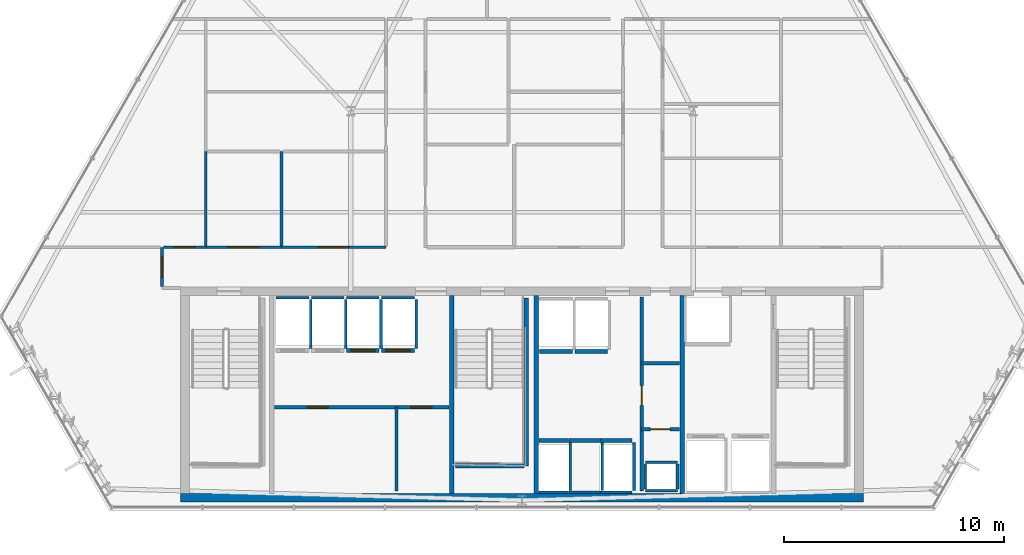
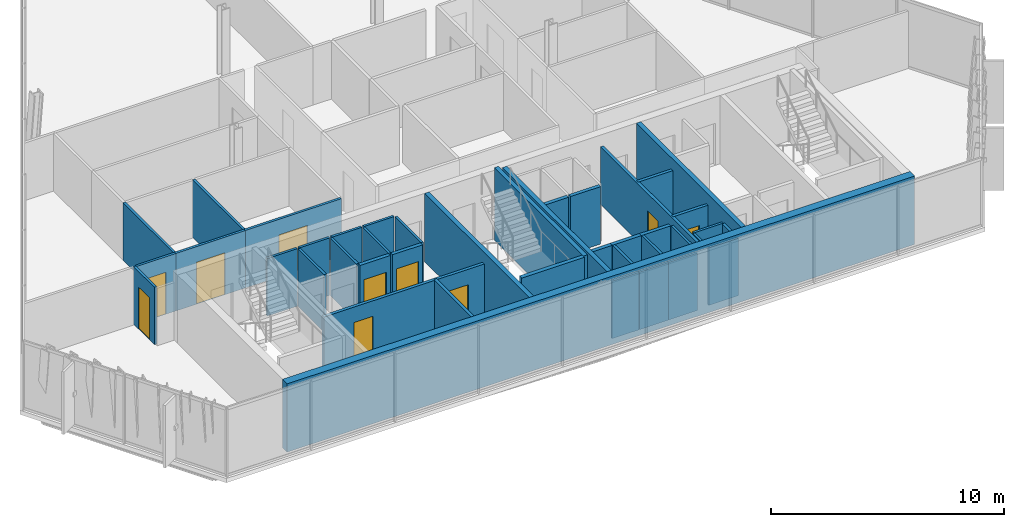
# One storey, part 28 of 35: 42 walls, 10 doors, 10 openings.
"""IFC4 building model written with IfcOpenShell, lengths in metres."""

from ifc_helpers import new_model, si_unit, direction, frame, frame_2d, origin, place, context, subcontext, project, spatial, rectangle, extrude, material, layer, layer_set, type_object, element, fill, save


model = new_model("IFC4")

# Units and contexts
model_context = context("Model", 3, precision=1e-05, world=origin(), true_north=direction((0.0, 1.0)))
body_context = subcontext(model_context, "Body", "Model", "MODEL_VIEW")
ifc_project = project(units=[si_unit("LENGTHUNIT", "METRE"), si_unit("AREAUNIT", "SQUARE_METRE"), si_unit("VOLUMEUNIT", "CUBIC_METRE"), si_unit("PLANEANGLEUNIT", "RADIAN"), si_unit("MASSUNIT", "GRAM", prefix="KILO")], contexts=[model_context])

# Site, building, storey
site_placement = place(None, origin())
site = spatial("IfcSite", under=ifc_project, at=site_placement, CompositionType="ELEMENT")
building_placement = place(site_placement, origin())
building = spatial("IfcBuilding", under=site, at=building_placement, Name="Ndaravel Arena Tower", CompositionType="ELEMENT")
storey_placement = place(building_placement, frame((0.0, 0.0, 180.199951171875)))
storey = spatial("IfcBuildingStorey", under=building, at=storey_placement, Name="L43", CompositionType="ELEMENT", Elevation=180.199951171875)

# Wall, opening, door
ifc_material_1 = material(Name="Gypsum", Category="gypsum")
ifc_layer_1 = layer(ifc_material_1, 0.14990234375)
ifc_layer_set_1 = layer_set([ifc_layer_1], Name="Gypsum")
wall_type_1 = type_object("IfcWallType", Name="WALL-COMP-150", PredefinedType="PARTITIONING", material=ifc_layer_set_1)
wall_1_placement = place(storey_placement, frame((47.449951171875, 5.89990234375, 0.0), z_axis=(0.0, 0.0, 1.0), x_axis=(0.0, 1.0, 0.0)))
wall_1 = element("IfcWall", 1, at=wall_1_placement, inside=storey, type_object=wall_type_1, Name="L43 Core Riser Bay Partition", PredefinedType="PARTITIONING", context=body_context, shape_type="SweptSolid", body=[
    extrude(rectangle(XDim=8.85009765625, YDim=0.14990234375, at=frame_2d((4.425048828125, 0.0))), origin(), (0.0, 0.0, 1.0), 3.010498046875),
])
opening_1_placement = place(wall_1_placement, frame((3.89990234375, 0.0, 0.0)))
opening_1 = element("IfcOpeningElement", 2, at=opening_1_placement, cuts=wall_1, Name="Opening RD-01", PredefinedType="OPENING", context=body_context, shape_type="SweptSolid", body=[
    extrude(rectangle(XDim=0.89990234375, YDim=2.10009765625, at=frame_2d((0.449951171875, 1.050048828125))), frame((0.0, 0.074951171875, 0.0), z_axis=(0.0, -1.0, 0.0), x_axis=(1.0, 0.0, 0.0)), (0.0, 0.0, 1.0), 0.14990234375),
])
ifc_material_2 = material(Name="Steel S355", Category="steel")
door_type_1 = type_object("IfcDoorType", Name="DT-08-RISER-900", OperationType="SINGLE_SWING_LEFT", PredefinedType="DOOR", material=ifc_material_2)
door_1_placement = place(opening_1_placement, origin())
door_1 = element("IfcDoor", 3, at=door_1_placement, inside=storey, type_object=door_type_1, Name="L43 Plumbing Riser Door", OperationType="SINGLE_SWING_LEFT", OverallHeight=2.10009765625, OverallWidth=0.89990234375, PredefinedType="DOOR", context=body_context, shape_type="SweptSolid", body=[
    extrude(rectangle(XDim=0.89990234375, YDim=2.10009765625, at=frame_2d((0.449951171875, 1.050048828125))), frame((0.0, 0.02490234375, 0.0), z_axis=(0.0, -1.0, 0.0), x_axis=(1.0, 0.0, 0.0)), (0.0, 0.0, 1.0), 0.050048828125),
])
fill(opening_1, door_1)

wall_2_placement = place(storey_placement, frame((47.449951171875, 8.719970703125, 0.0), z_axis=(0.0, 0.0, 1.0), x_axis=(1.0, 0.0, 0.0)))
wall_2 = element("IfcWall", 4, at=wall_2_placement, inside=storey, type_object=wall_type_1, Name="L43 Core Riser Divider 1", PredefinedType="PARTITIONING", context=body_context, shape_type="SweptSolid", body=[
    extrude(rectangle(XDim=1.72998046875, YDim=0.14990234375, at=frame_2d((0.864990234375, 0.0))), origin(), (0.0, 0.0, 1.0), 3.010498046875),
])
opening_2_placement = place(wall_2_placement, frame((0.39990234375, 0.0, 0.0)))
opening_2 = element("IfcOpeningElement", 5, at=opening_2_placement, cuts=wall_2, Name="Opening RD-01", PredefinedType="OPENING", context=body_context, shape_type="SweptSolid", body=[
    extrude(rectangle(XDim=0.89990234375, YDim=2.10009765625, at=frame_2d((0.449951171875, 1.050048828125))), frame((0.0, 0.074951171875, 0.0), z_axis=(0.0, -1.0, 0.0), x_axis=(1.0, 0.0, 0.0)), (0.0, 0.0, 1.0), 0.14990234375),
])
door_2_placement = place(opening_2_placement, origin())
door_2 = element("IfcDoor", 6, at=door_2_placement, inside=storey, type_object=door_type_1, Name="L43 Low-Voltage Riser Door", OperationType="SINGLE_SWING_RIGHT", OverallHeight=2.10009765625, OverallWidth=0.89990234375, PredefinedType="DOOR", context=body_context, shape_type="SweptSolid", body=[
    extrude(rectangle(XDim=0.89990234375, YDim=2.10009765625, at=frame_2d((0.449951171875, 1.050048828125))), frame((0.0, 0.02490234375, 0.0), z_axis=(0.0, -1.0, 0.0), x_axis=(1.0, 0.0, 0.0)), (0.0, 0.0, 1.0), 0.050048828125),
])
fill(opening_2, door_2)

# Wall
wall_3_placement = place(storey_placement, frame((47.449951171875, 11.719970703125, 0.0), z_axis=(0.0, 0.0, 1.0), x_axis=(1.0, 0.0, 0.0)))
element("IfcWall", 7, at=wall_3_placement, inside=storey, type_object=wall_type_1, Name="L43 Core Riser Divider 2", PredefinedType="PARTITIONING", context=body_context, shape_type="SweptSolid", body=[
    extrude(rectangle(XDim=1.72998046875, YDim=0.14990234375, at=frame_2d((0.864990234375, 0.0))), origin(), (0.0, 0.0, 1.0), 3.010498046875),
])

# Wall, openings, doors
wall_4_placement = place(storey_placement, frame((30.719970703125, 9.719970703125, 0.0), z_axis=(0.0, 0.0, 1.0), x_axis=(1.0, 0.0, 0.0)))
wall_4 = element("IfcWall", 8, at=wall_4_placement, inside=storey, type_object=wall_type_1, Name="L43 Reclaimed Shaft Partition", PredefinedType="PARTITIONING", context=body_context, shape_type="SweptSolid", body=[
    extrude(rectangle(XDim=7.9599609375, YDim=0.14990234375, at=frame_2d((3.97998046875, 0.0))), origin(), (0.0, 0.0, 1.0), 3.010498046875),
])
opening_3_placement = place(wall_4_placement, frame((1.5, 0.0, 0.0)))
opening_3 = element("IfcOpeningElement", 9, at=opening_3_placement, cuts=wall_4, Name="Opening FD-03", PredefinedType="OPENING", context=body_context, shape_type="SweptSolid", body=[
    extrude(rectangle(XDim=0.949951171875, YDim=2.199951171875, at=frame_2d((0.47509765625, 1.10009765625))), frame((0.0, 0.074951171875, 0.0), z_axis=(0.0, -1.0, 0.0), x_axis=(1.0, 0.0, 0.0)), (0.0, 0.0, 1.0), 0.14990234375),
])
opening_4_placement = place(wall_4_placement, frame((6.2099609375, 0.0, 0.0)))
opening_4 = element("IfcOpeningElement", 10, at=opening_4_placement, cuts=wall_4, Name="Opening FD-03", PredefinedType="OPENING", context=body_context, shape_type="SweptSolid", body=[
    extrude(rectangle(XDim=0.949951171875, YDim=2.199951171875, at=frame_2d((0.47509765625, 1.10009765625))), frame((0.0, 0.074951171875, 0.0), z_axis=(0.0, -1.0, 0.0), x_axis=(1.0, 0.0, 0.0)), (0.0, 0.0, 1.0), 0.14990234375),
])
ifc_material_3 = material(Name="Steel S355", Category="steel")
door_type_2 = type_object("IfcDoorType", Name="DT-11-CORE-950", OperationType="SINGLE_SWING_LEFT", PredefinedType="DOOR", material=ifc_material_3)
door_3_placement = place(opening_3_placement, origin())
door_3 = element("IfcDoor", 11, at=door_3_placement, inside=storey, type_object=door_type_2, Name="L43 ICT Server Room Door", OperationType="SINGLE_SWING_LEFT", OverallHeight=2.199951171875, OverallWidth=0.949951171875, PredefinedType="DOOR", context=body_context, shape_type="SweptSolid", body=[
    extrude(rectangle(XDim=0.949951171875, YDim=2.199951171875, at=frame_2d((0.47509765625, 1.10009765625))), frame((0.0, 0.02490234375, 0.0), z_axis=(0.0, -1.0, 0.0), x_axis=(1.0, 0.0, 0.0)), (0.0, 0.0, 1.0), 0.050048828125),
])
fill(opening_3, door_3)
door_4_placement = place(opening_4_placement, origin())
door_4 = element("IfcDoor", 12, at=door_4_placement, inside=storey, type_object=door_type_2, Name="L43 Core Archive Room Door", OperationType="SINGLE_SWING_RIGHT", OverallHeight=2.199951171875, OverallWidth=0.949951171875, PredefinedType="DOOR", context=body_context, shape_type="SweptSolid", body=[
    extrude(rectangle(XDim=0.949951171875, YDim=2.199951171875, at=frame_2d((0.47509765625, 1.10009765625))), frame((0.0, 0.02490234375, 0.0), z_axis=(0.0, -1.0, 0.0), x_axis=(1.0, 0.0, 0.0)), (0.0, 0.0, 1.0), 0.050048828125),
])
fill(opening_4, door_4)

# Walls
wall_5_placement = place(storey_placement, frame((36.280029296875, 5.89990234375, 0.0), z_axis=(0.0, 0.0, 1.0), x_axis=(0.0, 1.0, 0.0)))
element("IfcWall", 13, at=wall_5_placement, inside=storey, type_object=wall_type_1, Name="L43 Reclaimed Bay Divider", PredefinedType="PARTITIONING", context=body_context, shape_type="SweptSolid", body=[
    extrude(rectangle(XDim=3.820068359375, YDim=0.14990234375, at=frame_2d((1.91015625, 0.0))), origin(), (0.0, 0.0, 1.0), 3.010498046875),
])
ifc_material_4 = material(Name="Concrete C50/60", Category="concrete")
ifc_layer_2 = layer(ifc_material_4, 0.219970703125)
ifc_layer_set_2 = layer_set([ifc_layer_2], Name="Concrete C50/60")
wall_type_2 = type_object("IfcWallType", Name="WALL-CORE-220", PredefinedType="SOLIDWALL", material=ifc_layer_set_2)
for number, where, z_axis, x_axis, name in (
    (14, (38.800048828125, 5.800048828125, 0.0), (0.0, 0.0, 1.0), (0.0, 1.0, 0.0), "L43 Core Web Shear Wall 2"),
    (15, (42.64990234375, 5.800048828125, 0.0), (0.0, 0.0, 1.0), (0.0, 1.0, 0.0), "L43 Core Web Shear Wall 3"),
    (16, (49.300048828125, 5.800048828125, 0.0), (0.0, 0.0, 1.0), (0.0, 1.0, 0.0), "L43 Core Web Shear Wall 4"),
):
    element("IfcWall", number, at=place(storey_placement, frame(where, z_axis=z_axis, x_axis=x_axis)), inside=storey, type_object=wall_type_2, Name=name, PredefinedType="SOLIDWALL", context=body_context, shape_type="SweptSolid", body=[
        extrude(rectangle(XDim=9.0, YDim=0.219970703125, at=frame_2d((4.5, 0.0))), origin(), (0.0, 0.0, 1.0), 3.580078125),
    ])
ifc_material_5 = material(Name="Concrete C50/60", Category="concrete")
ifc_layer_3 = layer(ifc_material_5, 0.39990234375)
ifc_layer_set_3 = layer_set([ifc_layer_3], Name="Concrete C50/60")
wall_type_3 = type_object("IfcWallType", Name="WALL-CORE-400", PredefinedType="SOLIDWALL", material=ifc_layer_set_3)
wall_6_placement = place(storey_placement, frame((26.449951171875, 5.60009765625, 0.0), z_axis=(0.0, 0.0, 1.0), x_axis=(1.0, 0.0, 0.0)))
element("IfcWall", 17, at=wall_6_placement, inside=storey, type_object=wall_type_3, Name="L43 Core South Shear Wall", PredefinedType="SOLIDWALL", context=body_context, shape_type="SweptSolid", body=[
    extrude(rectangle(XDim=31.10009765625, YDim=0.39990234375, at=frame_2d((15.550048828125, 0.0))), origin(), (0.0, 0.0, 1.0), 3.580078125),
])

# Wall, opening, door
ifc_material_6 = material(Name="Gypsum", Category="gypsum")
ifc_layer_4 = layer(ifc_material_6, 0.125)
ifc_layer_set_4 = layer_set([ifc_layer_4], Name="Gypsum")
wall_type_4 = type_object("IfcWallType", Name="WALL-PART-125", PredefinedType="PARTITIONING", material=ifc_layer_set_4)
wall_7_placement = place(storey_placement, frame((25.60009765625, 15.215087890625, 0.0), z_axis=(0.0, 0.0, 1.0), x_axis=(0.0, 1.0, 0.0)))
wall_7 = element("IfcWall", 18, at=wall_7_placement, inside=storey, type_object=wall_type_4, Name="L43 Interior Partition 004", PredefinedType="PARTITIONING", context=body_context, shape_type="SweptSolid", body=[
    extrude(rectangle(XDim=1.784912109375, YDim=0.125, at=frame_2d((0.892578125, 0.0))), origin(), (0.0, 0.0, 1.0), 3.010498046875),
])
opening_5_placement = place(wall_7_placement, frame((0.41748046875, 0.0, 0.0)))
opening_5 = element("IfcOpeningElement", 19, at=opening_5_placement, cuts=wall_7, Name="Opening ID-01", PredefinedType="OPENING", context=body_context, shape_type="SweptSolid", body=[
    extrude(rectangle(XDim=0.949951171875, YDim=2.199951171875, at=frame_2d((0.47509765625, 1.10009765625))), frame((0.0, 0.0625, 0.0), z_axis=(0.0, -1.0, 0.0), x_axis=(1.0, 0.0, 0.0)), (0.0, 0.0, 1.0), 0.125),
])
ifc_material_7 = material(Name="Timber", Category="wood")
door_type_3 = type_object("IfcDoorType", Name="DT-03-OFFICE-950", OperationType="SINGLE_SWING_LEFT", PredefinedType="DOOR", material=ifc_material_7)
door_5_placement = place(opening_5_placement, origin())
door_5 = element("IfcDoor", 20, at=door_5_placement, inside=storey, type_object=door_type_3, Name="L43 Executive Boardroom Door", OperationType="SINGLE_SWING_RIGHT", OverallHeight=2.199951171875, OverallWidth=0.949951171875, PredefinedType="DOOR", context=body_context, shape_type="SweptSolid", body=[
    extrude(rectangle(XDim=0.949951171875, YDim=2.199951171875, at=frame_2d((0.47509765625, 1.10009765625))), frame((0.0, 0.02490234375, 0.0), z_axis=(0.0, -1.0, 0.0), x_axis=(1.0, 0.0, 0.0)), (0.0, 0.0, 1.0), 0.050048828125),
])
fill(opening_5, door_5)

wall_8_placement = place(storey_placement, frame((25.6650390625, 17.0, 0.0), z_axis=(0.0, 0.0, 1.0), x_axis=(1.0, 0.0, 0.0)))
wall_8 = element("IfcWall", 21, at=wall_8_placement, inside=storey, type_object=wall_type_4, Name="L43 Interior Partition 005", PredefinedType="PARTITIONING", context=body_context, shape_type="SweptSolid", body=[
    extrude(rectangle(XDim=1.93505859375, YDim=0.125, at=frame_2d((0.967529296875, 0.0))), origin(), (0.0, 0.0, 1.0), 3.010498046875),
])
opening_6_placement = place(wall_8_placement, frame((0.492431640625, 0.0, 0.0)))
opening_6 = element("IfcOpeningElement", 22, at=opening_6_placement, cuts=wall_8, Name="Opening ID-01", PredefinedType="OPENING", context=body_context, shape_type="SweptSolid", body=[
    extrude(rectangle(XDim=0.949951171875, YDim=2.199951171875, at=frame_2d((0.47509765625, 1.10009765625))), frame((0.0, 0.0625, 0.0), z_axis=(0.0, -1.0, 0.0), x_axis=(1.0, 0.0, 0.0)), (0.0, 0.0, 1.0), 0.125),
])
door_6_placement = place(opening_6_placement, origin())
door_6 = element("IfcDoor", 23, at=door_6_placement, inside=storey, type_object=door_type_3, Name="L43 Refreshment Kiosk 2 Door", OperationType="SINGLE_SWING_LEFT", OverallHeight=2.199951171875, OverallWidth=0.949951171875, PredefinedType="DOOR", context=body_context, shape_type="SweptSolid", body=[
    extrude(rectangle(XDim=0.949951171875, YDim=2.199951171875, at=frame_2d((0.47509765625, 1.10009765625))), frame((0.0, 0.02490234375, 0.0), z_axis=(0.0, -1.0, 0.0), x_axis=(1.0, 0.0, 0.0)), (0.0, 0.0, 1.0), 0.050048828125),
])
fill(opening_6, door_6)

wall_9_placement = place(storey_placement, frame((27.60009765625, 17.0, 0.0), z_axis=(0.0, 0.0, 1.0), x_axis=(1.0, 0.0, 0.0)))
wall_9 = element("IfcWall", 24, at=wall_9_placement, inside=storey, type_object=wall_type_4, Name="L43 Interior Partition 006", PredefinedType="PARTITIONING", context=body_context, shape_type="SweptSolid", body=[
    extrude(rectangle(XDim=3.44384765625, YDim=0.125, at=frame_2d((1.721923828125, 0.0))), origin(), (0.0, 0.0, 1.0), 3.010498046875),
])
opening_7_placement = place(wall_9_placement, frame((1.02197265625, 0.0, 0.0)))
opening_7 = element("IfcOpeningElement", 25, at=opening_7_placement, cuts=wall_9, Name="Opening ID-02", PredefinedType="OPENING", context=body_context, shape_type="SweptSolid", body=[
    extrude(rectangle(XDim=1.39990234375, YDim=2.199951171875, at=frame_2d((0.699951171875, 1.10009765625))), frame((0.0, 0.0625, 0.0), z_axis=(0.0, -1.0, 0.0), x_axis=(1.0, 0.0, 0.0)), (0.0, 0.0, 1.0), 0.125),
])
ifc_material_8 = material(Name="Timber", Category="wood")
door_type_4 = type_object("IfcDoorType", Name="DT-04-SUITE-1400", OperationType="DOUBLE_DOOR_SINGLE_SWING", PredefinedType="DOOR", material=ifc_material_8)
door_7_placement = place(opening_7_placement, origin())
door_7 = element("IfcDoor", 26, at=door_7_placement, inside=storey, type_object=door_type_4, Name="L43 Visitor Reception Desk Door", OperationType="SINGLE_SWING_LEFT", OverallHeight=2.199951171875, OverallWidth=1.39990234375, PredefinedType="DOOR", context=body_context, shape_type="SweptSolid", body=[
    extrude(rectangle(XDim=1.39990234375, YDim=2.199951171875, at=frame_2d((0.699951171875, 1.10009765625))), frame((0.0, 0.02490234375, 0.0), z_axis=(0.0, -1.0, 0.0), x_axis=(1.0, 0.0, 0.0)), (0.0, 0.0, 1.0), 0.050048828125),
])
fill(opening_7, door_7)

wall_10_placement = place(storey_placement, frame((31.0439453125, 17.0, 0.0), z_axis=(0.0, 0.0, 1.0), x_axis=(1.0, 0.0, 0.0)))
wall_10 = element("IfcWall", 27, at=wall_10_placement, inside=storey, type_object=wall_type_4, Name="L43 Interior Partition 007", PredefinedType="PARTITIONING", context=body_context, shape_type="SweptSolid", body=[
    extrude(rectangle(XDim=4.756103515625, YDim=0.125, at=frame_2d((2.3779296875, 0.0))), origin(), (0.0, 0.0, 1.0), 3.010498046875),
])
opening_8_placement = place(wall_10_placement, frame((1.677978515625, 0.0, 0.0)))
opening_8 = element("IfcOpeningElement", 28, at=opening_8_placement, cuts=wall_10, Name="Opening ID-02", PredefinedType="OPENING", context=body_context, shape_type="SweptSolid", body=[
    extrude(rectangle(XDim=1.39990234375, YDim=2.199951171875, at=frame_2d((0.699951171875, 1.10009765625))), frame((0.0, 0.0625, 0.0), z_axis=(0.0, -1.0, 0.0), x_axis=(1.0, 0.0, 0.0)), (0.0, 0.0, 1.0), 0.125),
])
door_8_placement = place(opening_8_placement, origin())
door_8 = element("IfcDoor", 29, at=door_8_placement, inside=storey, type_object=door_type_4, Name="L43 Client Conference Room 2 Door", OperationType="SINGLE_SWING_RIGHT", OverallHeight=2.199951171875, OverallWidth=1.39990234375, PredefinedType="DOOR", context=body_context, shape_type="SweptSolid", body=[
    extrude(rectangle(XDim=1.39990234375, YDim=2.199951171875, at=frame_2d((0.699951171875, 1.10009765625))), frame((0.0, 0.02490234375, 0.0), z_axis=(0.0, -1.0, 0.0), x_axis=(1.0, 0.0, 0.0)), (0.0, 0.0, 1.0), 0.050048828125),
])
fill(opening_8, door_8)

# Walls
for number, where, z_axis, x_axis, name in (
    (30, (31.0439453125, 21.367919921875, 0.0), (0.0, 0.0, 1.0), (0.0, -1.0, 0.0), "L43 Interior Partition 030"),
    (31, (27.60009765625, 17.06494140625, 0.0), (0.0, 0.0, 1.0), (0.0, 1.0, 0.0), "L43 Interior Partition 031"),
):
    element("IfcWall", number, at=place(storey_placement, frame(where, z_axis=z_axis, x_axis=x_axis)), inside=storey, type_object=wall_type_4, Name=name, PredefinedType="PARTITIONING", context=body_context, shape_type="SweptSolid", body=[
        extrude(rectangle(XDim=4.302978515625, YDim=0.125, at=frame_2d((2.1513671875, 0.0))), origin(), (0.0, 0.0, 1.0), 3.010498046875),
    ])
ifc_material_9 = material(Name="Concrete C40/50", Category="concrete")
ifc_layer_5 = layer(ifc_material_9, 0.1201171875)
ifc_layer_set_5 = layer_set([ifc_layer_5], Name="Concrete C40/50")
wall_type_5 = type_object("IfcWallType", Name="WALL-SHAFT-120", PredefinedType="SOLIDWALL", material=ifc_layer_set_5)
for number, where, z_axis, x_axis, name in (
    (32, (47.6201171875, 5.919921875, 0.0), (0.0, 0.0, 1.0), (1.0, 0.0, 0.0), "L43 MEP Riser Shaft S Wall"),
    (33, (47.6201171875, 7.219970703125, 0.0), (0.0, 0.0, 1.0), (1.0, 0.0, 0.0), "L43 MEP Riser Shaft N Wall"),
):
    element("IfcWall", number, at=place(storey_placement, frame(where, z_axis=z_axis, x_axis=x_axis)), inside=storey, type_object=wall_type_5, Name=name, PredefinedType="SOLIDWALL", context=body_context, shape_type="SweptSolid", body=[
        extrude(rectangle(XDim=1.4599609375, YDim=0.1201171875, at=frame_2d((0.72998046875, 0.0))), origin(), (0.0, 0.0, 1.0), 3.010498046875),
    ])
for number, where, z_axis, x_axis, name in (
    (34, (47.6201171875, 6.0, 0.0), (0.0, 0.0, 1.0), (0.0, 1.0, 0.0), "L43 MEP Riser Shaft W Wall"),
    (35, (49.080078125, 6.0, 0.0), (0.0, 0.0, 1.0), (0.0, 1.0, 0.0), "L43 MEP Riser Shaft E Wall"),
):
    element("IfcWall", number, at=place(storey_placement, frame(where, z_axis=z_axis, x_axis=x_axis)), inside=storey, type_object=wall_type_5, Name=name, PredefinedType="SOLIDWALL", context=body_context, shape_type="SweptSolid", body=[
        extrude(rectangle(XDim=1.139892578125, YDim=0.1201171875, at=frame_2d((0.56982421875, 0.0))), origin(), (0.0, 0.0, 1.0), 3.010498046875),
    ])
wall_11_placement = place(storey_placement, frame((30.804931640625, 14.7099609375, 0.0), z_axis=(0.0, 0.0, 1.0), x_axis=(1.0, 0.0, 0.0)))
element("IfcWall", 36, at=wall_11_placement, inside=storey, type_object=wall_type_5, Name="L43 PL-M1 Shaft Rear Wall", PredefinedType="SOLIDWALL", context=body_context, shape_type="SweptSolid", body=[
    extrude(rectangle(XDim=1.489990234375, YDim=0.1201171875, at=frame_2d((0.7451171875, 0.0))), origin(), (0.0, 0.0, 1.0), 3.010498046875),
])
wall_12_placement = place(storey_placement, frame((32.375, 12.389892578125, 0.0), z_axis=(0.0, 0.0, 1.0), x_axis=(0.0, 1.0, 0.0)))
element("IfcWall", 37, at=wall_12_placement, inside=storey, type_object=wall_type_5, Name="L43 PL-M1 Shaft Side R Wall", PredefinedType="SOLIDWALL", context=body_context, shape_type="SweptSolid", body=[
    extrude(rectangle(XDim=2.230224609375, YDim=0.1201171875, at=frame_2d((1.115234375, 0.0))), origin(), (0.0, 0.0, 1.0), 3.010498046875),
])
wall_13_placement = place(storey_placement, frame((32.405029296875, 14.7099609375, 0.0), z_axis=(0.0, 0.0, 1.0), x_axis=(1.0, 0.0, 0.0)))
element("IfcWall", 38, at=wall_13_placement, inside=storey, type_object=wall_type_5, Name="L43 PL-M2 Shaft Rear Wall", PredefinedType="SOLIDWALL", context=body_context, shape_type="SweptSolid", body=[
    extrude(rectangle(XDim=1.489990234375, YDim=0.1201171875, at=frame_2d((0.7451171875, 0.0))), origin(), (0.0, 0.0, 1.0), 3.010498046875),
])
wall_14_placement = place(storey_placement, frame((33.97509765625, 12.389892578125, 0.0), z_axis=(0.0, 0.0, 1.0), x_axis=(0.0, 1.0, 0.0)))
element("IfcWall", 39, at=wall_14_placement, inside=storey, type_object=wall_type_5, Name="L43 PL-M2 Shaft Side R Wall", PredefinedType="SOLIDWALL", context=body_context, shape_type="SweptSolid", body=[
    extrude(rectangle(XDim=2.230224609375, YDim=0.1201171875, at=frame_2d((1.115234375, 0.0))), origin(), (0.0, 0.0, 1.0), 3.010498046875),
])
wall_15_placement = place(storey_placement, frame((34.0048828125, 14.7099609375, 0.0), z_axis=(0.0, 0.0, 1.0), x_axis=(1.0, 0.0, 0.0)))
element("IfcWall", 40, at=wall_15_placement, inside=storey, type_object=wall_type_5, Name="L43 PL-M3 Shaft Rear Wall", PredefinedType="SOLIDWALL", context=body_context, shape_type="SweptSolid", body=[
    extrude(rectangle(XDim=1.490234375, YDim=0.1201171875, at=frame_2d((0.7451171875, 0.0))), origin(), (0.0, 0.0, 1.0), 3.010498046875),
])
wall_16_placement = place(storey_placement, frame((35.574951171875, 12.389892578125, 0.0), z_axis=(0.0, 0.0, 1.0), x_axis=(0.0, 1.0, 0.0)))
element("IfcWall", 41, at=wall_16_placement, inside=storey, type_object=wall_type_5, Name="L43 PL-M3 Shaft Side R Wall", PredefinedType="SOLIDWALL", context=body_context, shape_type="SweptSolid", body=[
    extrude(rectangle(XDim=2.230224609375, YDim=0.1201171875, at=frame_2d((1.115234375, 0.0))), origin(), (0.0, 0.0, 1.0), 3.010498046875),
])
wall_17_placement = place(storey_placement, frame((35.60498046875, 14.7099609375, 0.0), z_axis=(0.0, 0.0, 1.0), x_axis=(1.0, 0.0, 0.0)))
element("IfcWall", 42, at=wall_17_placement, inside=storey, type_object=wall_type_5, Name="L43 PL-M4 Shaft Rear Wall", PredefinedType="SOLIDWALL", context=body_context, shape_type="SweptSolid", body=[
    extrude(rectangle(XDim=1.489990234375, YDim=0.1201171875, at=frame_2d((0.7451171875, 0.0))), origin(), (0.0, 0.0, 1.0), 3.010498046875),
])
wall_18_placement = place(storey_placement, frame((37.175048828125, 12.389892578125, 0.0), z_axis=(0.0, 0.0, 1.0), x_axis=(0.0, 1.0, 0.0)))
element("IfcWall", 43, at=wall_18_placement, inside=storey, type_object=wall_type_5, Name="L43 PL-M4 Shaft Side R Wall", PredefinedType="SOLIDWALL", context=body_context, shape_type="SweptSolid", body=[
    extrude(rectangle(XDim=2.230224609375, YDim=0.1201171875, at=frame_2d((1.115234375, 0.0))), origin(), (0.0, 0.0, 1.0), 3.010498046875),
])
wall_19_placement = place(storey_placement, frame((42.780029296875, 5.840087890625, 0.0), z_axis=(0.0, 0.0, 1.0), x_axis=(1.0, 0.0, 0.0)))
element("IfcWall", 44, at=wall_19_placement, inside=storey, type_object=wall_type_5, Name="L43 PL-H1 Shaft Rear Wall", PredefinedType="SOLIDWALL", context=body_context, shape_type="SweptSolid", body=[
    extrude(rectangle(XDim=1.340087890625, YDim=0.1201171875, at=frame_2d((0.669921875, 0.0))), origin(), (0.0, 0.0, 1.0), 3.010498046875),
])
wall_20_placement = place(storey_placement, frame((44.199951171875, 5.929931640625, 0.0), z_axis=(0.0, 0.0, 1.0), x_axis=(0.0, 1.0, 0.0)))
element("IfcWall", 45, at=wall_20_placement, inside=storey, type_object=wall_type_5, Name="L43 PL-H1 Shaft Side R Wall", PredefinedType="SOLIDWALL", context=body_context, shape_type="SweptSolid", body=[
    extrude(rectangle(XDim=2.18017578125, YDim=0.1201171875, at=frame_2d((1.090087890625, 0.0))), origin(), (0.0, 0.0, 1.0), 3.010498046875),
])
wall_21_placement = place(storey_placement, frame((44.1298828125, 5.840087890625, 0.0), z_axis=(0.0, 0.0, 1.0), x_axis=(1.0, 0.0, 0.0)))
element("IfcWall", 46, at=wall_21_placement, inside=storey, type_object=wall_type_5, Name="L43 PL-H2 Shaft Rear Wall", PredefinedType="SOLIDWALL", context=body_context, shape_type="SweptSolid", body=[
    extrude(rectangle(XDim=1.440185546875, YDim=0.1201171875, at=frame_2d((0.72021484375, 0.0))), origin(), (0.0, 0.0, 1.0), 3.010498046875),
])
wall_22_placement = place(storey_placement, frame((45.64990234375, 5.929931640625, 0.0), z_axis=(0.0, 0.0, 1.0), x_axis=(0.0, 1.0, 0.0)))
element("IfcWall", 47, at=wall_22_placement, inside=storey, type_object=wall_type_5, Name="L43 PL-H2 Shaft Side R Wall", PredefinedType="SOLIDWALL", context=body_context, shape_type="SweptSolid", body=[
    extrude(rectangle(XDim=2.18017578125, YDim=0.1201171875, at=frame_2d((1.090087890625, 0.0))), origin(), (0.0, 0.0, 1.0), 3.010498046875),
])
wall_23_placement = place(storey_placement, frame((45.580078125, 5.840087890625, 0.0), z_axis=(0.0, 0.0, 1.0), x_axis=(1.0, 0.0, 0.0)))
element("IfcWall", 48, at=wall_23_placement, inside=storey, type_object=wall_type_5, Name="L43 PL-H3 Shaft Rear Wall", PredefinedType="SOLIDWALL", context=body_context, shape_type="SweptSolid", body=[
    extrude(rectangle(XDim=1.43994140625, YDim=0.1201171875, at=frame_2d((0.719970703125, 0.0))), origin(), (0.0, 0.0, 1.0), 3.010498046875),
])
wall_24_placement = place(storey_placement, frame((47.10009765625, 5.929931640625, 0.0), z_axis=(0.0, 0.0, 1.0), x_axis=(0.0, 1.0, 0.0)))
element("IfcWall", 49, at=wall_24_placement, inside=storey, type_object=wall_type_5, Name="L43 PL-H3 Shaft Side R Wall", PredefinedType="SOLIDWALL", context=body_context, shape_type="SweptSolid", body=[
    extrude(rectangle(XDim=2.18017578125, YDim=0.1201171875, at=frame_2d((1.090087890625, 0.0))), origin(), (0.0, 0.0, 1.0), 3.010498046875),
])
ifc_material_10 = material(Name="Concrete C40/50", Category="concrete")
ifc_layer_6 = layer(ifc_material_10, 0.199951171875)
ifc_layer_set_6 = layer_set([ifc_layer_6], Name="Concrete C40/50")
wall_type_6 = type_object("IfcWallType", Name="WALL-SHAFT-200", PredefinedType="SOLIDWALL", material=ifc_layer_set_6)
wall_25_placement = place(storey_placement, frame((42.18994140625, 14.699951171875, 0.0), z_axis=(0.0, 0.0, 1.0), x_axis=(0.0, -1.0, 0.0)))
element("IfcWall", 50, at=wall_25_placement, inside=storey, type_object=wall_type_6, Name="L43 ST-2 Structural Shaft Wall Right", PredefinedType="SOLIDWALL", context=body_context, shape_type="SweptSolid", body=[
    extrude(rectangle(XDim=7.64990234375, YDim=0.199951171875, at=frame_2d((3.824951171875, 0.0))), origin(), (0.0, 0.0, 1.0), 3.800048828125),
])
wall_26_placement = place(storey_placement, frame((38.969970703125, 7.050048828125, 0.0), z_axis=(0.0, 0.0, 1.0), x_axis=(1.0, 0.0, 0.0)))
element("IfcWall", 51, at=wall_26_placement, inside=storey, type_object=wall_type_6, Name="L43 ST-2 Structural Shaft Wall Far", PredefinedType="SOLIDWALL", context=body_context, shape_type="SweptSolid", body=[
    extrude(rectangle(XDim=3.114990234375, YDim=0.199951171875, at=frame_2d((1.5576171875, 0.0))), origin(), (0.0, 0.0, 1.0), 3.800048828125),
])

# Wall, opening, door
wall_27_placement = place(storey_placement, frame((34.0048828125, 12.300048828125, 0.0), z_axis=(0.0, 0.0, 1.0), x_axis=(1.0, 0.0, 0.0)))
wall_27 = element("IfcWall", 52, at=wall_27_placement, inside=storey, type_object=wall_type_6, Name="L43 PL-M3 Shaft Landing Wall", PredefinedType="SOLIDWALL", context=body_context, shape_type="SweptSolid", body=[
    extrude(rectangle(XDim=1.490234375, YDim=0.179931640625, at=frame_2d((0.7451171875, 0.0))), origin(), (0.0, 0.0, 1.0), 3.010498046875),
])
opening_9_placement = place(wall_27_placement, frame((0.195068359375, 0.0, 0.0)))
opening_9 = element("IfcOpeningElement", 53, at=opening_9_placement, cuts=wall_27, Name="Opening LD-01", PredefinedType="OPENING", context=body_context, shape_type="SweptSolid", body=[
    extrude(rectangle(XDim=1.10009765625, YDim=2.199951171875, at=frame_2d((0.550048828125, 1.10009765625))), frame((0.0, 0.08984375, 0.0), z_axis=(0.0, -1.0, 0.0), x_axis=(1.0, 0.0, 0.0)), (0.0, 0.0, 1.0), 0.179931640625),
])
ifc_material_11 = material(Name="Steel S355", Category="steel")
door_type_5 = type_object("IfcDoorType", Name="DT-06-LIFT-1100", OperationType="SLIDING_TO_LEFT", PredefinedType="DOOR", material=ifc_material_11)
door_9_placement = place(opening_9_placement, origin())
door_9 = element("IfcDoor", 54, at=door_9_placement, inside=storey, type_object=door_type_5, Name="L43 Lift PL-M3 Sliding Landing Door", OperationType="SLIDING_TO_LEFT", OverallHeight=2.199951171875, OverallWidth=1.10009765625, PredefinedType="DOOR", context=body_context, shape_type="SweptSolid", body=[
    extrude(rectangle(XDim=1.10009765625, YDim=2.199951171875, at=frame_2d((0.550048828125, 1.10009765625))), frame((0.0, 0.02490234375, 0.0), z_axis=(0.0, -1.0, 0.0), x_axis=(1.0, 0.0, 0.0)), (0.0, 0.0, 1.0), 0.050048828125),
])
fill(opening_9, door_9)

wall_28_placement = place(storey_placement, frame((35.60498046875, 12.300048828125, 0.0), z_axis=(0.0, 0.0, 1.0), x_axis=(1.0, 0.0, 0.0)))
wall_28 = element("IfcWall", 55, at=wall_28_placement, inside=storey, type_object=wall_type_6, Name="L43 PL-M4 Shaft Landing Wall", PredefinedType="SOLIDWALL", context=body_context, shape_type="SweptSolid", body=[
    extrude(rectangle(XDim=1.489990234375, YDim=0.179931640625, at=frame_2d((0.7451171875, 0.0))), origin(), (0.0, 0.0, 1.0), 3.010498046875),
])
opening_10_placement = place(wall_28_placement, frame((0.195068359375, 0.0, 0.0)))
opening_10 = element("IfcOpeningElement", 56, at=opening_10_placement, cuts=wall_28, Name="Opening LD-01", PredefinedType="OPENING", context=body_context, shape_type="SweptSolid", body=[
    extrude(rectangle(XDim=1.10009765625, YDim=2.199951171875, at=frame_2d((0.550048828125, 1.10009765625))), frame((0.0, 0.08984375, 0.0), z_axis=(0.0, -1.0, 0.0), x_axis=(1.0, 0.0, 0.0)), (0.0, 0.0, 1.0), 0.179931640625),
])
door_10_placement = place(opening_10_placement, origin())
door_10 = element("IfcDoor", 57, at=door_10_placement, inside=storey, type_object=door_type_5, Name="L43 Lift PL-M4 Sliding Landing Door", OperationType="SLIDING_TO_LEFT", OverallHeight=2.199951171875, OverallWidth=1.10009765625, PredefinedType="DOOR", context=body_context, shape_type="SweptSolid", body=[
    extrude(rectangle(XDim=1.10009765625, YDim=2.199951171875, at=frame_2d((0.550048828125, 1.10009765625))), frame((0.0, 0.02490234375, 0.0), z_axis=(0.0, -1.0, 0.0), x_axis=(1.0, 0.0, 0.0)), (0.0, 0.0, 1.0), 0.050048828125),
])
fill(opening_10, door_10)

# Walls
wall_29_placement = place(storey_placement, frame((42.780029296875, 8.199951171875, 0.0), z_axis=(0.0, 0.0, 1.0), x_axis=(1.0, 0.0, 0.0)))
element("IfcWall", 58, at=wall_29_placement, inside=storey, type_object=wall_type_6, Name="L43 PL-H1 Shaft Landing Wall", PredefinedType="SOLIDWALL", context=body_context, shape_type="SweptSolid", body=[
    extrude(rectangle(XDim=1.340087890625, YDim=0.179931640625, at=frame_2d((0.669921875, 0.0))), origin(), (0.0, 0.0, 1.0), 3.010498046875),
])
wall_30_placement = place(storey_placement, frame((44.1298828125, 8.199951171875, 0.0), z_axis=(0.0, 0.0, 1.0), x_axis=(1.0, 0.0, 0.0)))
element("IfcWall", 59, at=wall_30_placement, inside=storey, type_object=wall_type_6, Name="L43 PL-H2 Shaft Landing Wall", PredefinedType="SOLIDWALL", context=body_context, shape_type="SweptSolid", body=[
    extrude(rectangle(XDim=1.440185546875, YDim=0.179931640625, at=frame_2d((0.72021484375, 0.0))), origin(), (0.0, 0.0, 1.0), 3.010498046875),
])
wall_31_placement = place(storey_placement, frame((45.580078125, 8.199951171875, 0.0), z_axis=(0.0, 0.0, 1.0), x_axis=(1.0, 0.0, 0.0)))
element("IfcWall", 60, at=wall_31_placement, inside=storey, type_object=wall_type_6, Name="L43 PL-H3 Shaft Landing Wall", PredefinedType="SOLIDWALL", context=body_context, shape_type="SweptSolid", body=[
    extrude(rectangle(XDim=1.43994140625, YDim=0.179931640625, at=frame_2d((0.719970703125, 0.0))), origin(), (0.0, 0.0, 1.0), 3.010498046875),
])
for number, where, z_axis, x_axis, name in (
    (61, (42.804931640625, 12.25, 0.0), (0.0, 0.0, 1.0), (1.0, 0.0, 0.0), "L43 PL-OBS1 Shaft Landing Wall"),
    (62, (44.405029296875, 12.25, 0.0), (0.0, 0.0, 1.0), (1.0, 0.0, 0.0), "L43 PL-OBS2 Shaft Landing Wall"),
):
    element("IfcWall", number, at=place(storey_placement, frame(where, z_axis=z_axis, x_axis=x_axis)), inside=storey, type_object=wall_type_6, Name=name, PredefinedType="SOLIDWALL", context=body_context, shape_type="SweptSolid", body=[
        extrude(rectangle(XDim=1.489990234375, YDim=0.179931640625, at=frame_2d((0.7451171875, 0.0))), origin(), (0.0, 0.0, 1.0), 3.010498046875),
    ])

save(model, "model.ifc")
